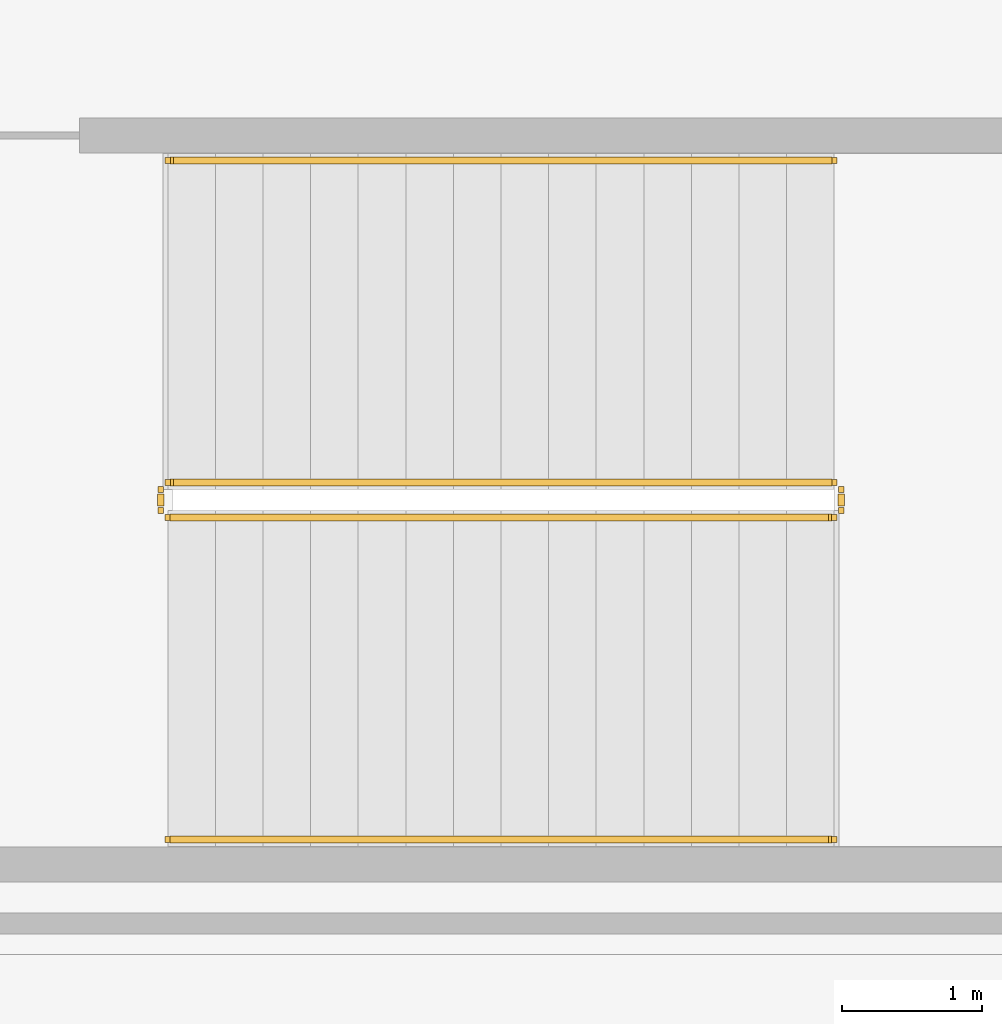
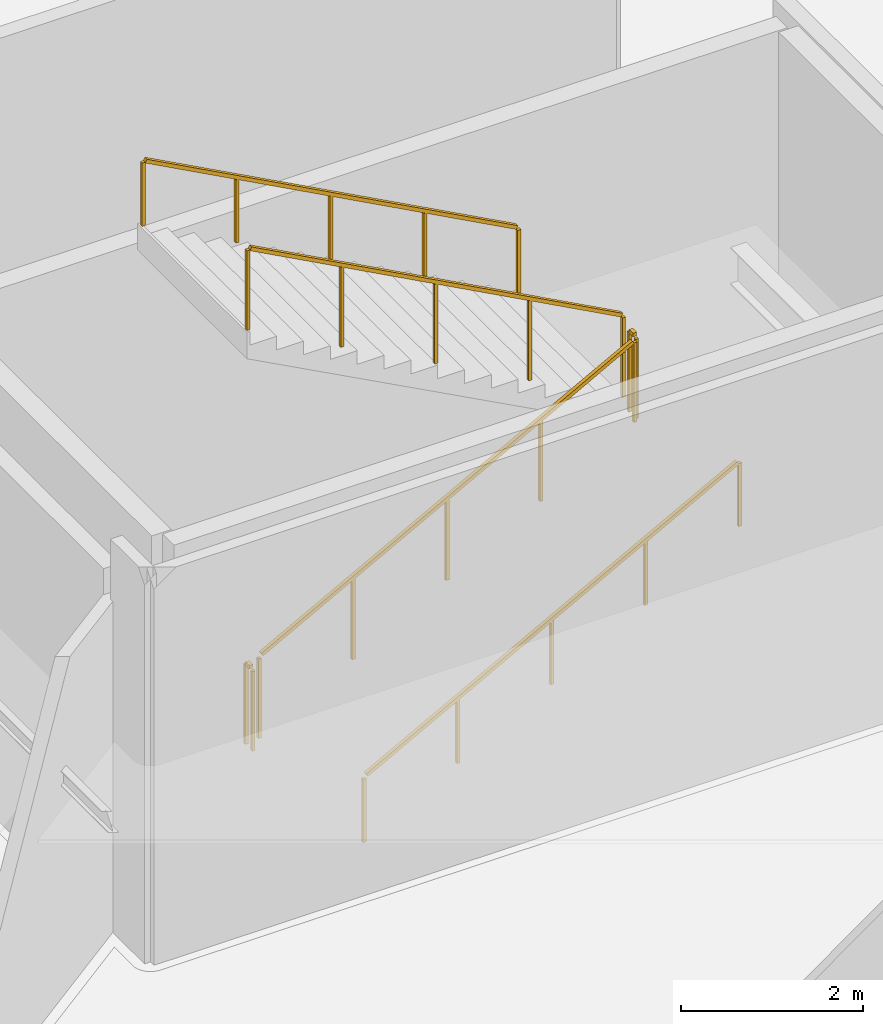
# One storey, part 13 of 19: 6 railings.
"""IFC4 building model written with IfcOpenShell, lengths in metres."""

from ifc_helpers import new_model, si_unit, direction, frame, origin, origin_2d, place, context, subcontext, project, spatial, rectangle, extrude, material, type_object, element, save


model = new_model("IFC4")

# Units and contexts
model_context = context("Model", 3, precision=1e-05, world=origin(), true_north=direction((0.0, 1.0)))
body_context = subcontext(model_context, "Body", "Model", "MODEL_VIEW")
ifc_project = project(units=[si_unit("LENGTHUNIT", "METRE"), si_unit("AREAUNIT", "SQUARE_METRE"), si_unit("VOLUMEUNIT", "CUBIC_METRE"), si_unit("PLANEANGLEUNIT", "RADIAN"), si_unit("MASSUNIT", "GRAM", prefix="KILO")], contexts=[model_context])

# Site, building, storey
site_placement = place(None, origin())
site = spatial("IfcSite", under=ifc_project, at=site_placement, CompositionType="ELEMENT")
building_placement = place(site_placement, origin())
building = spatial("IfcBuilding", under=site, at=building_placement, Name="Tharavind Bronze Gate", CompositionType="ELEMENT")
storey_placement = place(building_placement, frame((0.0, 0.0, 11.0)))
storey = spatial("IfcBuildingStorey", under=building, at=storey_placement, Name="L02", CompositionType="ELEMENT", Elevation=11.0)

# Railings
ifc_material = material(Name="Brushed Bronze Alloy", Category="metal")
railing_type_1 = type_object("IfcRailingType", Name="STAIR BRONZE HANDRAIL 900", PredefinedType="HANDRAIL", material=ifc_material)
railing_1_placement = place(storey_placement, frame((-26.0, -21.35009765625, 0.183349609375)))
element("IfcRailing", 1, at=railing_1_placement, inside=storey, type_object=railing_type_1, Name="L02 ST3 stair handrail 1", PredefinedType="HANDRAIL", context=body_context, shape_type="SweptSolid", body=[
    extrude(rectangle(XDim=0.048095703125, YDim=0.048095703125, at=origin_2d()), frame((0.028076171875, 0.0, 0.89111328125), z_axis=(0.880195524343, 0.0, 0.474611250316), x_axis=(0.0, 1.0, 0.0)), (0.0, 0.0, 1.0), 5.343994140625),
    extrude(rectangle(XDim=0.0400390625, YDim=0.0400390625, at=origin_2d()), origin(), (0.0, 0.0, 1.0), 0.847900390625),
    extrude(rectangle(XDim=0.0400390625, YDim=0.0400390625, at=origin_2d()), frame((1.18994140625, 0.0, 0.6416015625)), (0.0, 0.0, 1.0), 0.847900390625),
    extrude(rectangle(XDim=0.0400390625, YDim=0.0400390625, at=origin_2d()), frame((2.3798828125, 0.0, 1.283203125)), (0.0, 0.0, 1.0), 0.847900390625),
    extrude(rectangle(XDim=0.0400390625, YDim=0.0400390625, at=origin_2d()), frame((3.570068359375, 0.0, 1.925048828125)), (0.0, 0.0, 1.0), 0.847900390625),
    extrude(rectangle(XDim=0.0400390625, YDim=0.0400390625, at=origin_2d()), frame((4.760009765625, 0.0, 2.566650390625)), (0.0, 0.0, 1.0), 0.847900390625),
])
railing_2_placement = place(storey_placement, frame((-21.239990234375, -16.5, 2.933349609375)))
element("IfcRailing", 2, at=railing_2_placement, inside=storey, type_object=railing_type_1, Name="L02 ST3 stair handrail 2", PredefinedType="HANDRAIL", context=body_context, shape_type="SweptSolid", body=[
    extrude(rectangle(XDim=0.048095703125, YDim=0.048095703125, at=origin_2d()), frame((-0.028076171875, 0.0, 0.89111328125), z_axis=(-0.880195524343, 0.0, 0.474611250316), x_axis=(0.0, -1.0, 0.0)), (0.0, 0.0, 1.0), 5.343994140625),
    extrude(rectangle(XDim=0.0400390625, YDim=0.0400390625, at=origin_2d()), origin(), (0.0, 0.0, 1.0), 0.847900390625),
    extrude(rectangle(XDim=0.0400390625, YDim=0.0400390625, at=origin_2d()), frame((-1.18994140625, 0.0, 0.6416015625)), (0.0, 0.0, 1.0), 0.847900390625),
    extrude(rectangle(XDim=0.0400390625, YDim=0.0400390625, at=origin_2d()), frame((-2.3798828125, 0.0, 1.283203125)), (0.0, 0.0, 1.0), 0.847900390625),
    extrude(rectangle(XDim=0.0400390625, YDim=0.0400390625, at=origin_2d()), frame((-3.570068359375, 0.0, 1.925048828125)), (0.0, 0.0, 1.0), 0.847900390625),
    extrude(rectangle(XDim=0.0400390625, YDim=0.0400390625, at=origin_2d()), frame((-4.760009765625, 0.0, 2.566650390625)), (0.0, 0.0, 1.0), 0.847900390625),
])
railing_type_2 = type_object("IfcRailingType", Name="STAIR WELL GUARD RAILING 1120", PredefinedType="GUARDRAIL", material=ifc_material)
railing_3_placement = place(storey_placement, frame((-26.0, -19.050048828125, 0.183349609375)))
element("IfcRailing", 3, at=railing_3_placement, inside=storey, type_object=railing_type_2, Name="L02 ST3 stair guard 1", PredefinedType="GUARDRAIL", context=body_context, shape_type="SweptSolid", body=[
    extrude(rectangle(XDim=0.048095703125, YDim=0.048095703125, at=origin_2d()), frame((0.028076171875, 0.0, 1.111328125), z_axis=(0.880195524343, 0.0, 0.474611250316), x_axis=(0.0, 1.0, 0.0)), (0.0, 0.0, 1.0), 5.343994140625),
    extrude(rectangle(XDim=0.0400390625, YDim=0.0400390625, at=origin_2d()), origin(), (0.0, 0.0, 1.0), 1.068115234375),
    extrude(rectangle(XDim=0.0400390625, YDim=0.0400390625, at=origin_2d()), frame((1.18994140625, 0.0, 0.6416015625)), (0.0, 0.0, 1.0), 1.068115234375),
    extrude(rectangle(XDim=0.0400390625, YDim=0.0400390625, at=origin_2d()), frame((2.3798828125, 0.0, 1.283203125)), (0.0, 0.0, 1.0), 1.068115234375),
    extrude(rectangle(XDim=0.0400390625, YDim=0.0400390625, at=origin_2d()), frame((3.570068359375, 0.0, 1.925048828125)), (0.0, 0.0, 1.0), 1.068115234375),
    extrude(rectangle(XDim=0.0400390625, YDim=0.0400390625, at=origin_2d()), frame((4.760009765625, 0.0, 2.566650390625)), (0.0, 0.0, 1.0), 1.068115234375),
])
railing_4_placement = place(storey_placement, frame((-21.18994140625, -19.0, 2.75)))
element("IfcRailing", 4, at=railing_4_placement, inside=storey, type_object=railing_type_2, Name="L02 ST3 stair guard 2", PredefinedType="GUARDRAIL", context=body_context, shape_type="SweptSolid", body=[
    extrude(rectangle(XDim=0.048095703125, YDim=0.048095703125, at=origin_2d()), frame((0.0, 0.031982421875, 1.09619140625), z_axis=(0.0, 1.0, 0.0), x_axis=(-1.0, 0.0, 0.0)), (0.0, 0.0, 1.0), 0.0859375),
    extrude(rectangle(XDim=0.0400390625, YDim=0.0400390625, at=origin_2d()), origin(), (0.0, 0.0, 1.0), 1.068115234375),
    extrude(rectangle(XDim=0.0400390625, YDim=0.0400390625, at=origin_2d()), frame((0.0, 0.14990234375, 0.0)), (0.0, 0.0, 1.0), 1.068115234375),
])
railing_5_placement = place(storey_placement, frame((-21.239990234375, -18.800048828125, 2.933349609375)))
element("IfcRailing", 5, at=railing_5_placement, inside=storey, type_object=railing_type_2, Name="L02 ST3 stair guard 3", PredefinedType="GUARDRAIL", context=body_context, shape_type="SweptSolid", body=[
    extrude(rectangle(XDim=0.048095703125, YDim=0.048095703125, at=origin_2d()), frame((-0.028076171875, 0.0, 1.111328125), z_axis=(-0.880195524343, 0.0, 0.474611250316), x_axis=(0.0, -1.0, 0.0)), (0.0, 0.0, 1.0), 5.343994140625),
    extrude(rectangle(XDim=0.0400390625, YDim=0.0400390625, at=origin_2d()), origin(), (0.0, 0.0, 1.0), 1.068115234375),
    extrude(rectangle(XDim=0.0400390625, YDim=0.0400390625, at=origin_2d()), frame((-1.18994140625, 0.0, 0.6416015625)), (0.0, 0.0, 1.0), 1.068115234375),
    extrude(rectangle(XDim=0.0400390625, YDim=0.0400390625, at=origin_2d()), frame((-2.3798828125, 0.0, 1.283203125)), (0.0, 0.0, 1.0), 1.068115234375),
    extrude(rectangle(XDim=0.0400390625, YDim=0.0400390625, at=origin_2d()), frame((-3.570068359375, 0.0, 1.925048828125)), (0.0, 0.0, 1.0), 1.068115234375),
    extrude(rectangle(XDim=0.0400390625, YDim=0.0400390625, at=origin_2d()), frame((-4.760009765625, 0.0, 2.566650390625)), (0.0, 0.0, 1.0), 1.068115234375),
])
railing_6_placement = place(storey_placement, frame((-26.050048828125, -19.0, 0.0)))
element("IfcRailing", 6, at=railing_6_placement, inside=storey, type_object=railing_type_2, Name="L02 ST3 stair guard 4", PredefinedType="GUARDRAIL", context=body_context, shape_type="SweptSolid", body=[
    extrude(rectangle(XDim=0.048095703125, YDim=0.048095703125, at=origin_2d()), frame((0.0, 0.031982421875, 1.09619140625), z_axis=(0.0, 1.0, 0.0), x_axis=(-1.0, 0.0, 0.0)), (0.0, 0.0, 1.0), 0.0859375),
    extrude(rectangle(XDim=0.0400390625, YDim=0.0400390625, at=origin_2d()), origin(), (0.0, 0.0, 1.0), 1.068115234375),
    extrude(rectangle(XDim=0.0400390625, YDim=0.0400390625, at=origin_2d()), frame((0.0, 0.14990234375, 0.0)), (0.0, 0.0, 1.0), 1.068115234375),
])

save(model, "model.ifc")
